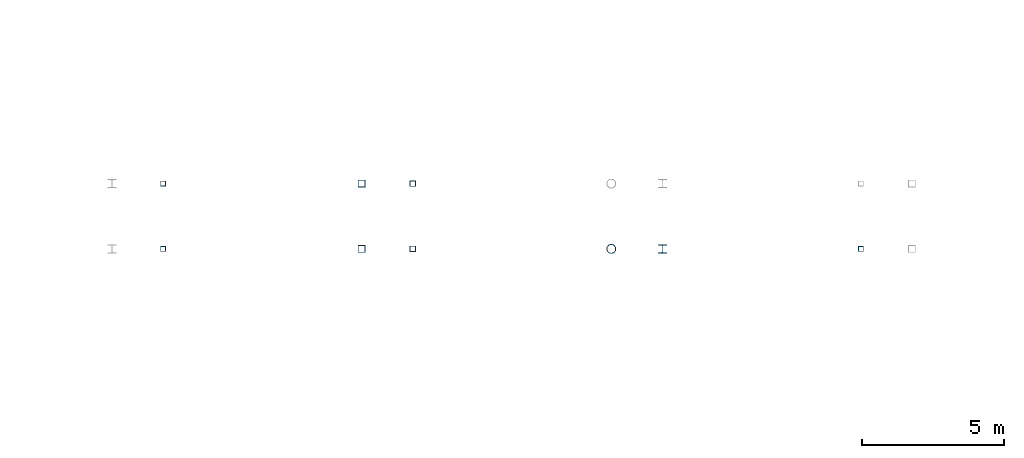
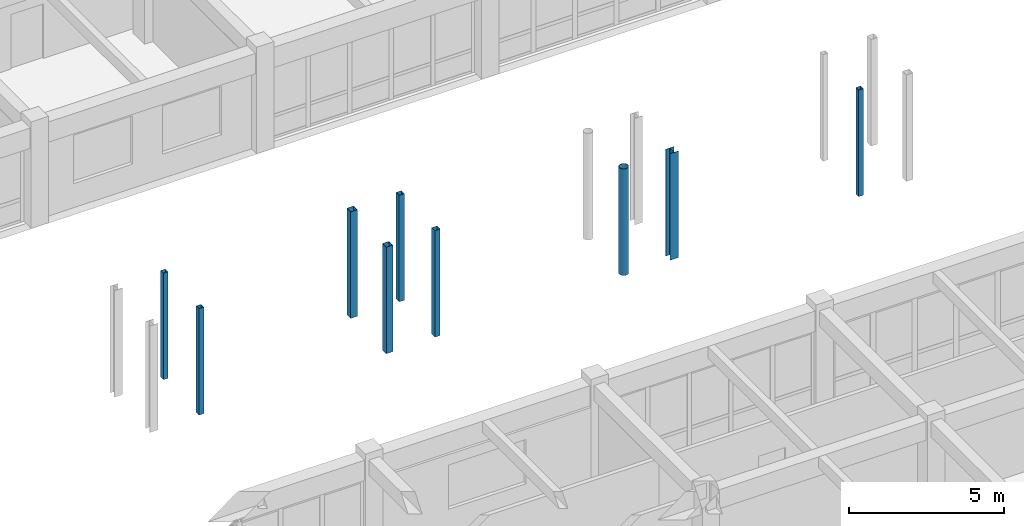
# One storey, part 16 of 147: 9 columns.
"""IFC4 building model written with IfcOpenShell, lengths in metres."""

from ifc_helpers import new_model, si_unit, direction, frame, origin, origin_2d, place, context, subcontext, project, spatial, hollow_rectangle, hollow_circle, i_section, extrude, material, material_profile, profile_set, type_object, element, save


model = new_model("IFC4")

# Units and contexts
model_context = context("Model", 3, precision=1e-05, world=origin(), true_north=direction((0.0, 1.0)))
body_context = subcontext(model_context, "Body", "Model", "MODEL_VIEW")
ifc_project = project(units=[si_unit("LENGTHUNIT", "METRE"), si_unit("AREAUNIT", "SQUARE_METRE"), si_unit("VOLUMEUNIT", "CUBIC_METRE"), si_unit("PLANEANGLEUNIT", "RADIAN"), si_unit("MASSUNIT", "GRAM", prefix="KILO")], contexts=[model_context])

# Site, building, storey
site_placement = place(None, origin())
site = spatial("IfcSite", under=ifc_project, at=site_placement, CompositionType="ELEMENT")
building_placement = place(site_placement, origin())
building = spatial("IfcBuilding", under=site, at=building_placement, Name="Malvenik Polytechnic", CompositionType="ELEMENT")
storey_placement = place(building_placement, frame((0.0, 0.0, 5.10009765625)))
storey = spatial("IfcBuildingStorey", under=building, at=storey_placement, Name="L01", CompositionType="ELEMENT", Elevation=5.10009765625)

# Columns
ifc_material_1 = material(Name="Steel S355J2H", Category="steel")
ifc_material_profile_1 = material_profile(ifc_material_1, hollow_rectangle(XDim=0.25, YDim=0.25, WallThickness=0.010009765625, at=origin_2d()), Name="SHS 250x250x10.0")
ifc_profile_set_1 = profile_set([ifc_material_profile_1], Name="Steel S355J2H")
column_type_1 = type_object("IfcColumnType", Name="STR-SCOL-SC-01", PredefinedType="COLUMN", material=ifc_profile_set_1)
for number, where, z_axis, x_axis, name in (
    (1, (39.800048828125, 103.14990234375, 0.0), (0.0, 0.0, 1.0), (1.0, 0.0, 0.0), "Bridge-Ramp Support Column SC-01 L01"),
    (2, (39.800048828125, 105.449951171875, 0.0), (0.0, 0.0, 1.0), (1.0, 0.0, 0.0), "Bridge-Ramp Support Column SC-01 L01"),
):
    element("IfcColumn", number, at=place(storey_placement, frame(where, z_axis=z_axis, x_axis=x_axis)), inside=storey, type_object=column_type_1, Name=name, PredefinedType="COLUMN", context=body_context, shape_type="SweptSolid", body=[
        extrude(hollow_rectangle(XDim=0.25, YDim=0.25, WallThickness=0.010009765625, at=origin_2d()), origin(), (0.0, 0.0, 1.0), 4.199951171875),
    ])
ifc_material_profile_2 = material_profile(ifc_material_1, hollow_rectangle(XDim=0.199951171875, YDim=0.199951171875, WallThickness=0.010009765625, at=origin_2d()), Name="SHS 200x200x10.0")
ifc_profile_set_2 = profile_set([ifc_material_profile_2], Name="Steel S355J2H")
column_type_2 = type_object("IfcColumnType", Name="STR-SCOL-SC-02", PredefinedType="COLUMN", material=ifc_profile_set_2)
for number, where, z_axis, x_axis, name in (
    (3, (41.60009765625, 103.14990234375, 0.0), (0.0, 0.0, 1.0), (1.0, 0.0, 0.0), "Bridge-Ramp Support Column SC-02 L01"),
    (4, (41.60009765625, 105.449951171875, 0.0), (0.0, 0.0, 1.0), (1.0, 0.0, 0.0), "Bridge-Ramp Support Column SC-02 L01"),
):
    element("IfcColumn", number, at=place(storey_placement, frame(where, z_axis=z_axis, x_axis=x_axis)), inside=storey, type_object=column_type_2, Name=name, PredefinedType="COLUMN", context=body_context, shape_type="SweptSolid", body=[
        extrude(hollow_rectangle(XDim=0.199951171875, YDim=0.199951171875, WallThickness=0.010009765625, at=origin_2d()), origin(), (0.0, 0.0, 1.0), 4.199951171875),
    ])
ifc_material_profile_3 = material_profile(ifc_material_1, hollow_circle(Radius=0.161865234375, WallThickness=0.012451171875, at=origin_2d()), Name="CHS 323.9x12.5")
ifc_profile_set_3 = profile_set([ifc_material_profile_3], Name="Steel S355J2H")
column_type_3 = type_object("IfcColumnType", Name="STR-SCOL-SC-04", PredefinedType="COLUMN", material=ifc_profile_set_3)
column_1_placement = place(storey_placement, frame((48.60009765625, 103.14990234375, 0.0), z_axis=(0.0, 0.0, 1.0), x_axis=(1.0, 0.0, 0.0)))
element("IfcColumn", 5, at=column_1_placement, inside=storey, type_object=column_type_3, Name="Bridge-Ramp Support Column SC-04 L01", PredefinedType="COLUMN", context=body_context, shape_type="SweptSolid", body=[
    extrude(hollow_circle(Radius=0.161865234375, WallThickness=0.012451171875, at=origin_2d()), origin(), (0.0, 0.0, 1.0), 4.199951171875),
])
ifc_material_2 = material(Name="Steel S355", Category="steel")
ifc_material_profile_4 = material_profile(ifc_material_2, i_section(OverallWidth=0.300048828125, OverallDepth=0.300048828125, WebThickness=0.010986328125, FlangeThickness=0.01904296875, FilletRadius=0.027099609375, at=origin_2d()), Name="HEB 300")
ifc_profile_set_4 = profile_set([ifc_material_profile_4], Name="Steel S355")
column_type_4 = type_object("IfcColumnType", Name="STR-SCOL-SC-05", PredefinedType="COLUMN", material=ifc_profile_set_4)
column_2_placement = place(storey_placement, frame((50.39990234375, 103.14990234375, 0.0), z_axis=(0.0, 0.0, 1.0), x_axis=(1.0, 0.0, 0.0)))
element("IfcColumn", 6, at=column_2_placement, inside=storey, type_object=column_type_4, Name="Bridge-Ramp Support Column SC-05 L01", PredefinedType="COLUMN", context=body_context, shape_type="SweptSolid", body=[
    extrude(i_section(OverallWidth=0.300048828125, OverallDepth=0.300048828125, WebThickness=0.010986328125, FlangeThickness=0.01904296875, FilletRadius=0.027099609375, at=origin_2d()), origin(), (0.0, 0.0, 1.0), 4.199951171875),
])
ifc_material_profile_5 = material_profile(ifc_material_1, hollow_rectangle(XDim=0.179931640625, YDim=0.179931640625, WallThickness=0.008056640625, at=origin_2d()), Name="SHS 180x180x8.0")
ifc_profile_set_5 = profile_set([ifc_material_profile_5], Name="Steel S355J2H")
column_type_5 = type_object("IfcColumnType", Name="STR-SCOL-SC-06", PredefinedType="COLUMN", material=ifc_profile_set_5)
for number, where, z_axis, x_axis, name in (
    (7, (32.800048828125, 103.14990234375, 0.0), (0.0, 0.0, 1.0), (1.0, 0.0, 0.0), "Bridge-Ramp Support Column SC-06 L01"),
    (8, (32.800048828125, 105.449951171875, 0.0), (0.0, 0.0, 1.0), (1.0, 0.0, 0.0), "Bridge-Ramp Support Column SC-06 L01"),
    (9, (57.39990234375, 103.14990234375, 0.0), (0.0, 0.0, 1.0), (1.0, 0.0, 0.0), "Bridge-Ramp Support Column SC-06 L01"),
):
    element("IfcColumn", number, at=place(storey_placement, frame(where, z_axis=z_axis, x_axis=x_axis)), inside=storey, type_object=column_type_5, Name=name, PredefinedType="COLUMN", context=body_context, shape_type="SweptSolid", body=[
        extrude(hollow_rectangle(XDim=0.179931640625, YDim=0.179931640625, WallThickness=0.008056640625, at=origin_2d()), origin(), (0.0, 0.0, 1.0), 4.199951171875),
    ])

save(model, "model.ifc")
